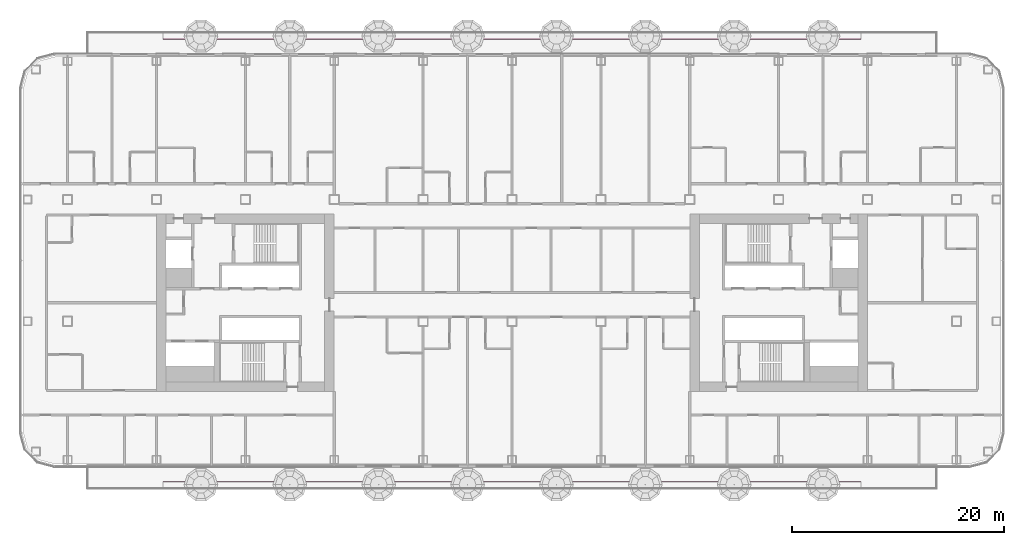
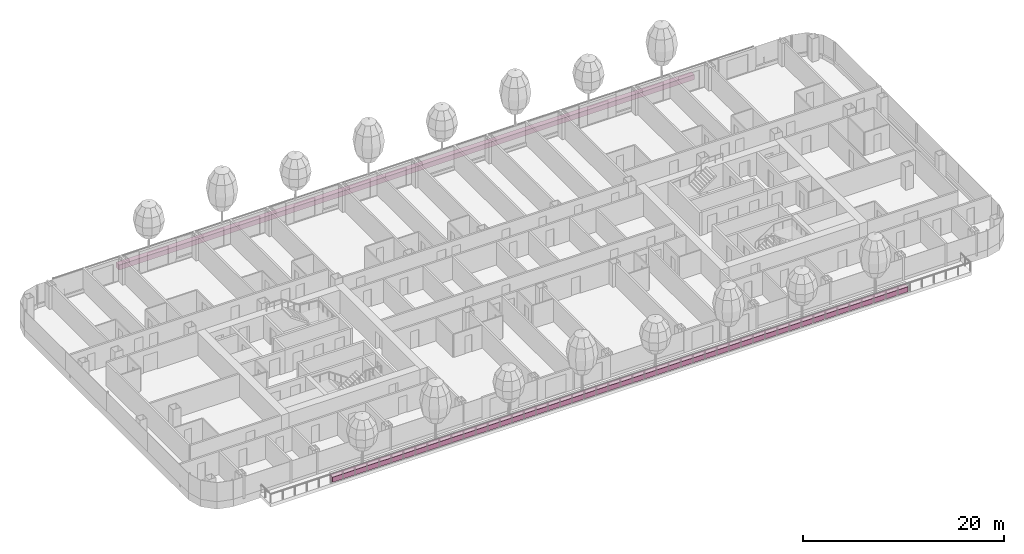
# One storey, part 29 of 33: 2 furniture elements.
"""IFC4 building model written with IfcOpenShell, lengths in metres."""

from ifc_helpers import new_model, si_unit, direction, frame, origin, origin_2d, place, context, subcontext, project, spatial, rectangle, extrude, material, type_object, element, save


model = new_model("IFC4")

# Units and contexts
model_context = context("Model", 3, precision=1e-05, world=origin(), true_north=direction((0.0, 1.0)))
body_context = subcontext(model_context, "Body", "Model", "MODEL_VIEW")
ifc_project = project(units=[si_unit("LENGTHUNIT", "METRE"), si_unit("AREAUNIT", "SQUARE_METRE"), si_unit("VOLUMEUNIT", "CUBIC_METRE"), si_unit("PLANEANGLEUNIT", "RADIAN"), si_unit("MASSUNIT", "GRAM", prefix="KILO")], contexts=[model_context])

# Site, building, storey
site_placement = place(None, origin())
site = spatial("IfcSite", under=ifc_project, at=site_placement, CompositionType="ELEMENT")
building_placement = place(site_placement, origin())
building = spatial("IfcBuilding", under=site, at=building_placement, Name="Hakoniwa Tower and Hamabe Station Hall", CompositionType="ELEMENT")
storey_placement = place(building_placement, frame((0.0, 0.0, 81.800048828125)))
storey = spatial("IfcBuildingStorey", under=building, at=storey_placement, Name="L22", CompositionType="ELEMENT", Elevation=81.800048828125)

# Furniture
ifc_material = material(Name="Aluminium 6063-T5 black anodised trough with lightweight soil", Category="aluminium")
furniture_type = type_object("IfcFurnitureType", Name="Planter 600x600", AssemblyPlace="SITE", PredefinedType="USERDEFINED", material=ifc_material)
for number, where, z_axis, x_axis, name in (
    (1, (0.0, 25.199951171875, 0.0), (0.0, 0.0, 1.0), (1.0, 0.0, 0.0), "Planter 600x600"),
    (2, (0.0, -17.199951171875, 0.0), (0.0, 0.0, 1.0), (1.0, 0.0, 0.0), "Planter 600x600"),
):
    element("IfcFurniture", number, at=place(storey_placement, frame(where, z_axis=z_axis, x_axis=x_axis)), inside=storey, type_object=furniture_type, Name=name, ObjectType="PLANTER", PredefinedType="USERDEFINED", context=body_context, shape_type="SweptSolid", body=[
        extrude(rectangle(XDim=66.0, YDim=0.60009765625, at=origin_2d()), origin(), (0.0, 0.0, 1.0), 0.60009765625),
    ])

save(model, "model.ifc")
